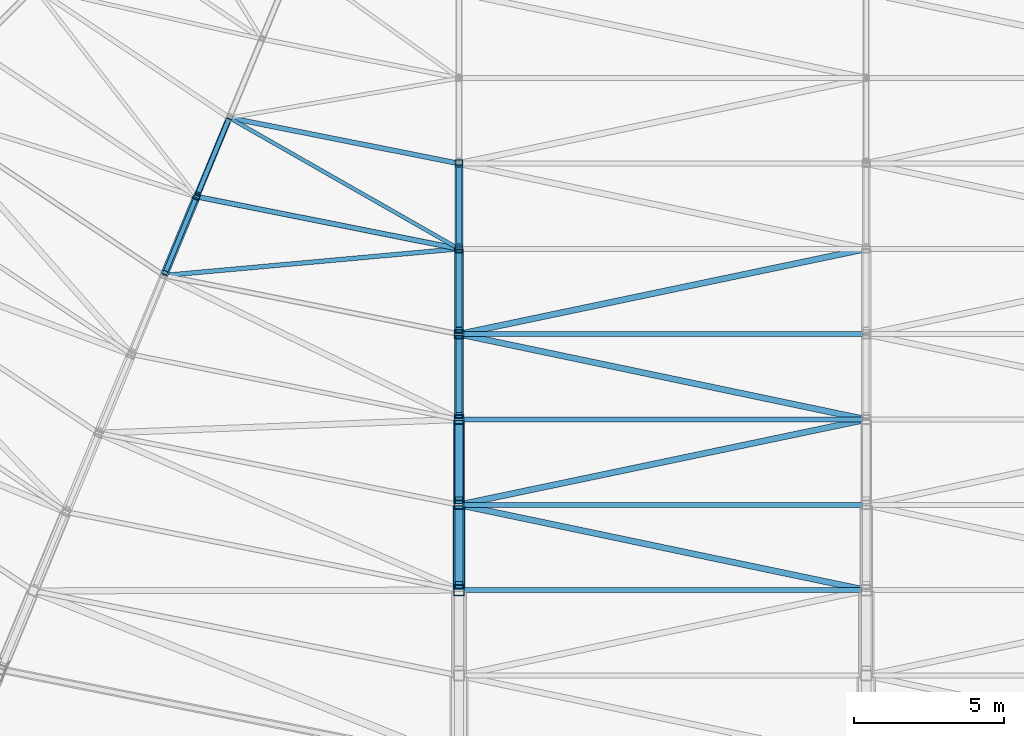
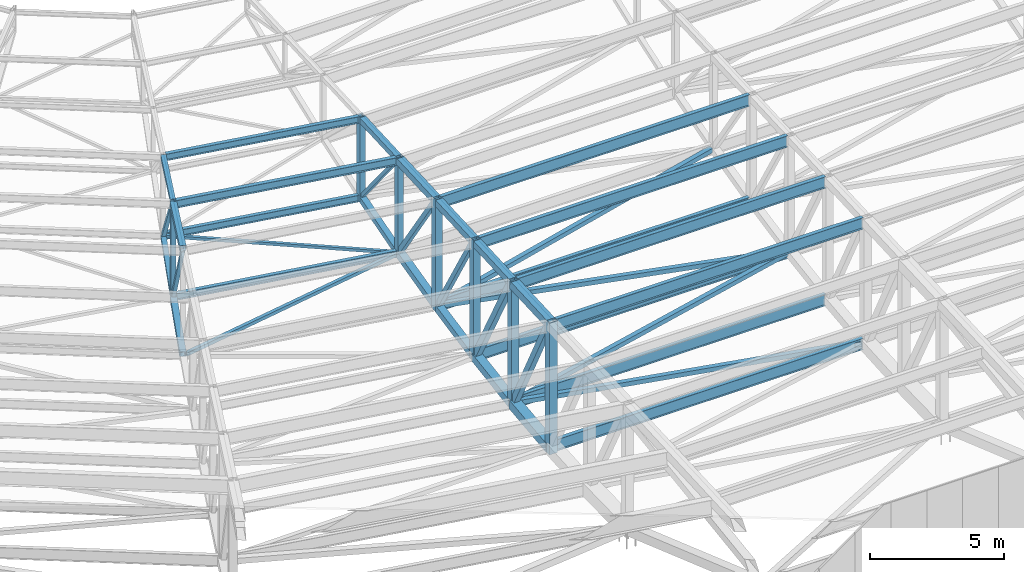
# One storey, part 7 of 278: 25 members, 21 beams.
"""IFC4 building model written with IfcOpenShell, lengths in metres."""

from ifc_helpers import new_model, si_unit, direction, frame, origin, origin_2d, place, context, subcontext, project, spatial, hollow_rectangle, i_section, extrude, material, material_profile, profile_set, type_object, element, save


model = new_model("IFC4")

# Units and contexts
model_context = context("Model", 3, precision=1e-05, world=origin(), true_north=direction((0.0, 1.0)))
body_context = subcontext(model_context, "Body", "Model", "MODEL_VIEW")
ifc_project = project(units=[si_unit("LENGTHUNIT", "METRE"), si_unit("AREAUNIT", "SQUARE_METRE"), si_unit("VOLUMEUNIT", "CUBIC_METRE"), si_unit("PLANEANGLEUNIT", "RADIAN"), si_unit("MASSUNIT", "GRAM", prefix="KILO")], contexts=[model_context])

# Site, building, storey
site_placement = place(None, origin())
site = spatial("IfcSite", under=ifc_project, at=site_placement, CompositionType="ELEMENT")
building_placement = place(site_placement, origin())
building = spatial("IfcBuilding", under=site, at=building_placement, Name="Ogive Plaza Stadium", CompositionType="ELEMENT")
storey_placement = place(building_placement, frame((0.0, 0.0, 29.0)))
storey = spatial("IfcBuildingStorey", under=building, at=storey_placement, Name="Roof", CompositionType="ELEMENT", Elevation=29.0)

# Members
ifc_material_1 = material(Name="Steel ASTM A500 Grade C", Category="steel")
ifc_material_profile_1 = material_profile(ifc_material_1, hollow_rectangle(XDim=0.126953125, YDim=0.126953125, WallThickness=0.005859375, at=origin_2d()), Name="HSS5X5X1/4")
ifc_profile_set_1 = profile_set([ifc_material_profile_1], Name="Steel ASTM A500 Grade C")
member_type_1 = type_object("IfcMemberType", Name="Roof plan brace HSS5X5X1/4", PredefinedType="BRACE", material=ifc_profile_set_1)
member_1_placement = place(storey_placement, frame((-41.60302734375, -71.063720703125, 3.242431640625), z_axis=(0.86502645405, -0.493347767192, -0.091308347927), x_axis=(0.495417289815, 0.868655115078, 0.0)))
element("IfcMember", 1, at=member_1_placement, inside=storey, type_object=member_type_1, Name="ROOF BRACE B17 4", PredefinedType="BRACE", context=body_context, shape_type="SweptSolid", body=[
    extrude(hollow_rectangle(XDim=0.126953125, YDim=0.126953125, WallThickness=0.005859375, at=origin_2d()), origin(), (0.0, 0.0, 1.0), 8.636474609375),
])
ifc_material_2 = material(Name="Steel ASTM A500 Grade C", Category="steel")
ifc_material_profile_2 = material_profile(ifc_material_2, hollow_rectangle(XDim=0.15234375, YDim=0.15234375, WallThickness=0.005859375, at=origin_2d()), Name="HSS6X6X1/4")
ifc_profile_set_2 = profile_set([ifc_material_profile_2], Name="Steel ASTM A500 Grade C")
member_type_2 = type_object("IfcMemberType", Name="Roof plan brace HSS6X6X1/4", PredefinedType="BRACE", material=ifc_profile_set_2)
member_2_placement = place(storey_placement, frame((-34.10400390625, -75.409423828125, 2.4326171875), z_axis=(-0.993414799326, -0.089721773876, -0.071253349206), x_axis=(0.089950405331, -0.995946245829, 0.0)))
element("IfcMember", 2, at=member_2_placement, inside=storey, type_object=member_type_2, Name="ROOF BRACE B17 5", PredefinedType="BRACE", context=body_context, shape_type="SweptSolid", body=[
    extrude(hollow_rectangle(XDim=0.15234375, YDim=0.15234375, WallThickness=0.005859375, at=origin_2d()), origin(), (0.0, 0.0, 1.0), 9.689697265625),
])
ifc_material_3 = material(Name="Steel ASTM A500 Grade C", Category="steel")
ifc_material_profile_3 = material_profile(ifc_material_3, hollow_rectangle(XDim=0.203125, YDim=0.203125, WallThickness=0.0087890625, at=origin_2d()), Name="HSS8X8X3/8")
ifc_profile_set_3 = profile_set([ifc_material_profile_3], Name="Steel ASTM A500 Grade C")
member_type_3 = type_object("IfcMemberType", Name="Roof plan brace HSS8X8X3/8", PredefinedType="BRACE", material=ifc_profile_set_3)
member_3_placement = place(storey_placement, frame((-20.5185546875, -75.4248046875, 2.459228515625), z_axis=(-0.977474612888, -0.204849020574, -0.05079625901), x_axis=(0.205113814972, -0.97873812785, 0.0)))
element("IfcMember", 3, at=member_3_placement, inside=storey, type_object=member_type_3, Name="ROOF BRACE B16 5", PredefinedType="BRACE", context=body_context, shape_type="SweptSolid", body=[
    extrude(hollow_rectangle(XDim=0.203125, YDim=0.203125, WallThickness=0.0087890625, at=origin_2d()), origin(), (0.0, 0.0, 1.0), 13.64501953125),
])
member_4_placement = place(storey_placement, frame((-33.856201171875, -78.280029296875, 1.752685546875), z_axis=(0.977965523229, -0.204948228106, -0.039744926357), x_axis=(0.205110294312, 0.978738865667, 0.0)))
element("IfcMember", 4, at=member_4_placement, inside=storey, type_object=member_type_3, Name="ROOF BRACE B16 6", PredefinedType="BRACE", context=body_context, shape_type="SweptSolid", body=[
    extrude(hollow_rectangle(XDim=0.203125, YDim=0.203125, WallThickness=0.0087890625, at=origin_2d()), origin(), (0.0, 0.0, 1.0), 13.6123046875),
])
member_5_placement = place(storey_placement, frame((-20.5439453125, -81.130126953125, 1.201416015625), z_axis=(-0.978282447902, -0.205014644711, -0.030536004664), x_axis=(0.205110294312, -0.978738865667, 0.0)))
element("IfcMember", 5, at=member_5_placement, inside=storey, type_object=member_type_3, Name="ROOF BRACE B16 7", PredefinedType="BRACE", context=body_context, shape_type="SweptSolid", body=[
    extrude(hollow_rectangle(XDim=0.203125, YDim=0.203125, WallThickness=0.0087890625, at=origin_2d()), origin(), (0.0, 0.0, 1.0), 13.607666015625),
])
member_6_placement = place(storey_placement, frame((-33.856201171875, -83.980224609375, 0.778564453125), z_axis=(0.978554365022, -0.205067940633, -0.019454933079), x_axis=(0.205106760189, 0.978739606292, 0.0)))
element("IfcMember", 6, at=member_6_placement, inside=storey, type_object=member_type_3, Name="ROOF BRACE B16 8", PredefinedType="BRACE", context=body_context, shape_type="SweptSolid", body=[
    extrude(hollow_rectangle(XDim=0.203125, YDim=0.203125, WallThickness=0.0087890625, at=origin_2d()), origin(), (0.0, 0.0, 1.0), 13.578125),
])
ifc_material_4 = material(Name="Steel ASTM A992 Grade 50", Category="steel")
ifc_material_profile_4 = material_profile(ifc_material_4, i_section(OverallWidth=0.164794921875, OverallDepth=0.310302734375, WebThickness=0.005859375, FlangeThickness=0.009765625, at=origin_2d()), Name="W12X26")
ifc_profile_set_4 = profile_set([ifc_material_profile_4], Name="Steel ASTM A992 Grade 50")
member_type_4 = type_object("IfcMemberType", Name="Roof plan strut W12X26", PredefinedType="STRUT", material=ifc_profile_set_4)
member_7_placement = place(storey_placement, frame((-34.088134765625, -72.532470703125, 3.249755859375), z_axis=(-0.9807828615, 0.195102482268, 0.0), x_axis=(-0.195102482268, -0.9807828615, 0.0)))
element("IfcMember", 7, at=member_7_placement, inside=storey, type_object=member_type_4, Name="ROOF STRUT B17 3", PredefinedType="STRUT", context=body_context, shape_type="SweptSolid", body=[
    extrude(i_section(OverallWidth=0.164794921875, OverallDepth=0.310302734375, WebThickness=0.005859375, FlangeThickness=0.009765625, at=origin_2d()), origin(), (0.0, 0.0, 1.0), 7.643310546875),
])
member_8_placement = place(storey_placement, frame((-34.11376953125, -75.37744140625, 2.43994140625), z_axis=(-0.980782384623, 0.195104879523, 0.0), x_axis=(-0.195104879523, -0.980782384623, 0.0)))
element("IfcMember", 8, at=member_8_placement, inside=storey, type_object=member_type_4, Name="ROOF STRUT B17 4", PredefinedType="STRUT", context=body_context, shape_type="SweptSolid", body=[
    extrude(i_section(OverallWidth=0.164794921875, OverallDepth=0.310302734375, WebThickness=0.005859375, FlangeThickness=0.009765625, at=origin_2d()), origin(), (0.0, 0.0, 1.0), 8.729248046875),
])
ifc_material_5 = material(Name="Steel ASTM A992 Grade 50", Category="steel")
ifc_material_profile_5 = material_profile(ifc_material_5, i_section(OverallWidth=0.1650390625, OverallDepth=0.524658203125, WebThickness=0.0087890625, FlangeThickness=0.011474609375, at=origin_2d()), Name="W21X44")
ifc_profile_set_5 = profile_set([ifc_material_profile_5], Name="Steel ASTM A992 Grade 50")
member_type_5 = type_object("IfcMemberType", Name="Roof plan strut W21X44", PredefinedType="STRUT", material=ifc_profile_set_5)
for number, where, z_axis, x_axis, name in (
    (9, (-20.5224609375, -78.25, 1.758544921875), (-1.0, 0.0, 0.0), (0.0, -1.0, 0.0), "ROOF STRUT B16 5"),
    (10, (-20.5224609375, -81.10009765625, 1.205810546875), (-1.0, 0.0, 0.0), (0.0, -1.0, 0.0), "ROOF STRUT B16 6"),
    (11, (-20.5224609375, -83.949951171875, 0.781494140625), (-1.0, 0.0, 0.0), (0.0, -1.0, 0.0), "ROOF STRUT B16 7"),
):
    element("IfcMember", number, at=place(storey_placement, frame(where, z_axis=z_axis, x_axis=x_axis)), inside=storey, type_object=member_type_5, Name=name, PredefinedType="STRUT", context=body_context, shape_type="SweptSolid", body=[
        extrude(i_section(OverallWidth=0.1650390625, OverallDepth=0.524658203125, WebThickness=0.0087890625, FlangeThickness=0.011474609375, at=origin_2d()), origin(), (0.0, 0.0, 1.0), 13.355224609375),
    ])
member_9_placement = place(storey_placement, frame((-20.5478515625, -86.800048828125, 0.510986328125), z_axis=(-1.0, 0.0, 0.0), x_axis=(0.0, -1.0, 0.0)))
element("IfcMember", 12, at=member_9_placement, inside=storey, type_object=member_type_5, Name="ROOF STRUT B16 8", PredefinedType="STRUT", context=body_context, shape_type="SweptSolid", body=[
    extrude(i_section(OverallWidth=0.1650390625, OverallDepth=0.524658203125, WebThickness=0.0087890625, FlangeThickness=0.011474609375, at=origin_2d()), origin(), (0.0, 0.0, 1.0), 13.304443359375),
])
ifc_material_6 = material(Name="Steel ASTM A992 Grade 50", Category="steel")
ifc_material_profile_6 = material_profile(ifc_material_6, i_section(OverallWidth=0.164794921875, OverallDepth=0.310302734375, WebThickness=0.005859375, FlangeThickness=0.009765625, at=origin_2d()), Name="W12X26")
ifc_profile_set_6 = profile_set([ifc_material_profile_6], Name="Steel ASTM A992 Grade 50")
member_type_6 = type_object("IfcMemberType", Name="Roof purlin W12X26", PredefinedType="PURLIN", material=ifc_profile_set_6)
member_10_placement = place(storey_placement, frame((-34.088134765625, -72.532470703125, 6.84228515625), z_axis=(-0.9807828615, 0.195102482268, 0.0), x_axis=(-0.195102482268, -0.9807828615, 0.0)))
element("IfcMember", 13, at=member_10_placement, inside=storey, type_object=member_type_6, Name="ROOF PURLIN B17 3", PredefinedType="PURLIN", context=body_context, shape_type="SweptSolid", body=[
    extrude(i_section(OverallWidth=0.164794921875, OverallDepth=0.310302734375, WebThickness=0.005859375, FlangeThickness=0.009765625, at=origin_2d()), origin(), (0.0, 0.0, 1.0), 7.643310546875),
])
ifc_material_7 = material(Name="Steel ASTM A992 Grade 50", Category="steel")
ifc_material_profile_7 = material_profile(ifc_material_7, i_section(OverallWidth=0.17138671875, OverallDepth=0.35498046875, WebThickness=0.00732421875, FlangeThickness=0.011474609375, at=origin_2d()), Name="W14X34")
ifc_profile_set_7 = profile_set([ifc_material_profile_7], Name="Steel ASTM A992 Grade 50")
member_type_7 = type_object("IfcMemberType", Name="Roof purlin W14X34", PredefinedType="PURLIN", material=ifc_profile_set_7)
member_11_placement = place(storey_placement, frame((-34.1142578125, -75.377197265625, 6.677490234375), z_axis=(-0.980787765569, 0.195077827826, 0.0), x_axis=(-0.195077827826, -0.980787765569, 0.0)))
element("IfcMember", 14, at=member_11_placement, inside=storey, type_object=member_type_7, Name="ROOF PURLIN B17 4", PredefinedType="PURLIN", context=body_context, shape_type="SweptSolid", body=[
    extrude(i_section(OverallWidth=0.17138671875, OverallDepth=0.35498046875, WebThickness=0.00732421875, FlangeThickness=0.011474609375, at=origin_2d()), origin(), (0.0, 0.0, 1.0), 8.72802734375),
])
ifc_material_8 = material(Name="Steel ASTM A992 Grade 50", Category="steel")
ifc_material_profile_8 = material_profile(ifc_material_8, i_section(OverallWidth=0.1650390625, OverallDepth=0.524658203125, WebThickness=0.0087890625, FlangeThickness=0.011474609375, at=origin_2d()), Name="W21X44")
ifc_profile_set_8 = profile_set([ifc_material_profile_8], Name="Steel ASTM A992 Grade 50")
member_type_8 = type_object("IfcMemberType", Name="Roof purlin W21X44", PredefinedType="PURLIN", material=ifc_profile_set_8)
for number, where, z_axis, x_axis, name in (
    (15, (-20.5224609375, -78.25, 6.4501953125), (-1.0, 0.0, 0.0), (0.0, -1.0, 0.0), "ROOF PURLIN B16 5"),
    (16, (-20.5224609375, -81.10009765625, 6.3076171875), (-1.0, 0.0, 0.0), (0.0, -1.0, 0.0), "ROOF PURLIN B16 6"),
    (17, (-20.5224609375, -83.949951171875, 6.1650390625), (-1.0, 0.0, 0.0), (0.0, -1.0, 0.0), "ROOF PURLIN B16 7"),
):
    element("IfcMember", number, at=place(storey_placement, frame(where, z_axis=z_axis, x_axis=x_axis)), inside=storey, type_object=member_type_8, Name=name, PredefinedType="PURLIN", context=body_context, shape_type="SweptSolid", body=[
        extrude(i_section(OverallWidth=0.1650390625, OverallDepth=0.524658203125, WebThickness=0.0087890625, FlangeThickness=0.011474609375, at=origin_2d()), origin(), (0.0, 0.0, 1.0), 13.355224609375),
    ])
member_12_placement = place(storey_placement, frame((-20.5478515625, -86.800048828125, 6.022705078125), z_axis=(-1.0, 0.0, 0.0), x_axis=(0.0, -1.0, 0.0)))
element("IfcMember", 18, at=member_12_placement, inside=storey, type_object=member_type_8, Name="ROOF PURLIN B16 8", PredefinedType="PURLIN", context=body_context, shape_type="SweptSolid", body=[
    extrude(i_section(OverallWidth=0.1650390625, OverallDepth=0.524658203125, WebThickness=0.0087890625, FlangeThickness=0.011474609375, at=origin_2d()), origin(), (0.0, 0.0, 1.0), 13.304443359375),
])

# Beams
ifc_material_9 = material(Name="Steel ASTM A500 Grade C", Category="steel")
ifc_material_profile_9 = material_profile(ifc_material_9, hollow_rectangle(XDim=0.25390625, YDim=0.25390625, WallThickness=0.01171875, at=origin_2d()), Name="HSS10X10X1/2")
ifc_profile_set_9 = profile_set([ifc_material_profile_9], Name="Steel ASTM A500 Grade C")
beam_type_1 = type_object("IfcBeamType", Name="Roof truss bottom chord HSS10X10X1/2", PredefinedType="BEAM", material=ifc_profile_set_9)
beam_1_placement = place(storey_placement, frame((-34.0, -72.60009765625, 3.265869140625), z_axis=(0.0, -0.959640437259, -0.281229854705), x_axis=(1.0, 0.0, 0.0)))
element("IfcBeam", 19, at=beam_1_placement, inside=storey, type_object=beam_type_1, Name="ROOF TRUSS T17 BOTTOM CHORD 4", PredefinedType="BEAM", context=body_context, shape_type="SweptSolid", body=[
    extrude(hollow_rectangle(XDim=0.25390625, YDim=0.25390625, WallThickness=0.01171875, at=origin_2d()), origin(), (0.0, 0.0, 1.0), 2.86572265625),
])
beam_2_placement = place(storey_placement, frame((-42.779541015625, -73.695556640625, 2.433349609375), z_axis=(-0.371439859665, -0.89673257633, -0.240630665544), x_axis=(0.923879144677, -0.382684368678, 0.0)))
element("IfcBeam", 20, at=beam_2_placement, inside=storey, type_object=beam_type_1, Name="ROOF TRUSS T18 BOTTOM CHORD 5", PredefinedType="BEAM", context=body_context, shape_type="SweptSolid", body=[
    extrude(hollow_rectangle(XDim=0.25390625, YDim=0.25390625, WallThickness=0.01171875, at=origin_2d()), origin(), (0.0, 0.0, 1.0), 2.849853515625),
])
ifc_material_10 = material(Name="Steel ASTM A500 Grade C", Category="steel")
ifc_material_profile_10 = material_profile(ifc_material_10, hollow_rectangle(XDim=0.3046875, YDim=0.3046875, WallThickness=0.0146484375, at=origin_2d()), Name="HSS12X12X5/8")
ifc_profile_set_10 = profile_set([ifc_material_profile_10], Name="Steel ASTM A500 Grade C")
beam_type_2 = type_object("IfcBeamType", Name="Roof truss bottom chord HSS12X12X5/8", PredefinedType="BEAM", material=ifc_profile_set_10)
beam_3_placement = place(storey_placement, frame((-34.0, -75.449951171875, 2.45751953125), z_axis=(0.0, -0.970607032995, -0.240669872439), x_axis=(1.0, 0.0, 0.0)))
element("IfcBeam", 21, at=beam_3_placement, inside=storey, type_object=beam_type_2, Name="ROOF TRUSS T17 BOTTOM CHORD 5", PredefinedType="BEAM", context=body_context, shape_type="SweptSolid", body=[
    extrude(hollow_rectangle(XDim=0.3046875, YDim=0.3046875, WallThickness=0.0146484375, at=origin_2d()), origin(), (0.0, 0.0, 1.0), 2.833251953125),
])
beam_4_placement = place(storey_placement, frame((-34.0, -78.300048828125, 1.751708984375), z_axis=(0.0, -0.980021250437, -0.19889280704), x_axis=(1.0, 0.0, 0.0)))
element("IfcBeam", 22, at=beam_4_placement, inside=storey, type_object=beam_type_2, Name="ROOF TRUSS T17 BOTTOM CHORD 6", PredefinedType="BEAM", context=body_context, shape_type="SweptSolid", body=[
    extrude(hollow_rectangle(XDim=0.3046875, YDim=0.3046875, WallThickness=0.0146484375, at=origin_2d()), origin(), (0.0, 0.0, 1.0), 2.80615234375),
])
ifc_material_11 = material(Name="Steel ASTM A500 Grade C", Category="steel")
ifc_material_profile_11 = material_profile(ifc_material_11, hollow_rectangle(XDim=0.355712890625, YDim=0.355712890625, WallThickness=0.0146484375, at=origin_2d()), Name="HSS14X14X5/8")
ifc_profile_set_11 = profile_set([ifc_material_profile_11], Name="Steel ASTM A500 Grade C")
beam_type_3 = type_object("IfcBeamType", Name="Roof truss bottom chord HSS14X14X5/8", PredefinedType="BEAM", material=ifc_profile_set_11)
beam_5_placement = place(storey_placement, frame((-34.0, -81.14990234375, 1.2001953125), z_axis=(0.0, -0.987770074518, -0.155917541947), x_axis=(1.0, 0.0, 0.0)))
element("IfcBeam", 23, at=beam_5_placement, inside=storey, type_object=beam_type_3, Name="ROOF TRUSS T17 BOTTOM CHORD 7", PredefinedType="BEAM", context=body_context, shape_type="SweptSolid", body=[
    extrude(hollow_rectangle(XDim=0.355712890625, YDim=0.355712890625, WallThickness=0.0146484375, at=origin_2d()), origin(), (0.0, 0.0, 1.0), 2.783935546875),
])
ifc_material_12 = material(Name="Steel ASTM A500 Grade C", Category="steel")
ifc_material_profile_12 = material_profile(ifc_material_12, hollow_rectangle(XDim=0.406494140625, YDim=0.406494140625, WallThickness=0.0146484375, at=origin_2d()), Name="HSS16X16X5/8")
ifc_profile_set_12 = profile_set([ifc_material_profile_12], Name="Steel ASTM A500 Grade C")
beam_type_4 = type_object("IfcBeamType", Name="Roof truss bottom chord HSS16X16X5/8", PredefinedType="BEAM", material=ifc_profile_set_12)
beam_6_placement = place(storey_placement, frame((-34.0, -84.0, 0.777099609375), z_axis=(0.0, -0.993703844406, -0.112038696946), x_axis=(1.0, 0.0, 0.0)))
element("IfcBeam", 24, at=beam_6_placement, inside=storey, type_object=beam_type_4, Name="ROOF TRUSS T17 BOTTOM CHORD 8", PredefinedType="BEAM", context=body_context, shape_type="SweptSolid", body=[
    extrude(hollow_rectangle(XDim=0.406494140625, YDim=0.406494140625, WallThickness=0.0146484375, at=origin_2d()), origin(), (0.0, 0.0, 1.0), 2.767333984375),
])
ifc_material_13 = material(Name="Steel ASTM A500 Grade C", Category="steel")
ifc_material_profile_13 = material_profile(ifc_material_13, hollow_rectangle(XDim=0.203125, YDim=0.203125, WallThickness=0.01171875, at=origin_2d()), Name="HSS8X8X1/2")
ifc_profile_set_13 = profile_set([ifc_material_profile_13], Name="Steel ASTM A500 Grade C")
beam_type_5 = type_object("IfcBeamType", Name="Roof truss bottom chord HSS8X8X1/2", PredefinedType="BEAM", material=ifc_profile_set_13)
beam_7_placement = place(storey_placement, frame((-41.689697265625, -71.064697265625, 3.2412109375), z_axis=(-0.36727087962, -0.886574426433, -0.281243466376), x_axis=(0.923864895024, -0.382718768474, 0.0)))
element("IfcBeam", 25, at=beam_7_placement, inside=storey, type_object=beam_type_5, Name="ROOF TRUSS T18 BOTTOM CHORD 4", PredefinedType="BEAM", context=body_context, shape_type="SweptSolid", body=[
    extrude(hollow_rectangle(XDim=0.203125, YDim=0.203125, WallThickness=0.01171875, at=origin_2d()), origin(), (0.0, 0.0, 1.0), 2.877685546875),
])

# Members
ifc_material_14 = material(Name="Steel ASTM A500 Grade C", Category="steel")
ifc_material_profile_14 = material_profile(ifc_material_14, hollow_rectangle(XDim=0.25390625, YDim=0.25390625, WallThickness=0.0087890625, at=origin_2d()), Name="HSS10X10X3/8")
ifc_profile_set_14 = profile_set([ifc_material_profile_14], Name="Steel ASTM A500 Grade C")
member_type_9 = type_object("IfcMemberType", Name="Roof truss diagonal HSS10X10X3/8", PredefinedType="BRACE", material=ifc_profile_set_14)
member_13_placement = place(storey_placement, frame((-34.0, -81.25244140625, 1.383544921875), z_axis=(0.0, -0.473127942579, 0.880993728667), x_axis=(1.0, 0.0, 0.0)))
element("IfcMember", 26, at=member_13_placement, inside=storey, type_object=member_type_9, Name="ROOF TRUSS T17 DIAGONAL 7", PredefinedType="BRACE", context=body_context, shape_type="SweptSolid", body=[
    extrude(hollow_rectangle(XDim=0.25390625, YDim=0.25390625, WallThickness=0.0087890625, at=origin_2d()), origin(), (0.0, 0.0, 1.0), 5.37939453125),
])
member_14_placement = place(storey_placement, frame((-34.0, -84.102294921875, 0.984619140625), z_axis=(0.0, -0.454062843231, 0.890969659639), x_axis=(1.0, 0.0, 0.0)))
element("IfcMember", 27, at=member_14_placement, inside=storey, type_object=member_type_9, Name="ROOF TRUSS T17 DIAGONAL 8", PredefinedType="BRACE", context=body_context, shape_type="SweptSolid", body=[
    extrude(hollow_rectangle(XDim=0.25390625, YDim=0.25390625, WallThickness=0.0087890625, at=origin_2d()), origin(), (0.0, 0.0, 1.0), 5.550048828125),
])
ifc_material_15 = material(Name="Steel ASTM A500 Grade C", Category="steel")
ifc_material_profile_15 = material_profile(ifc_material_15, hollow_rectangle(XDim=0.15234375, YDim=0.15234375, WallThickness=0.005859375, at=origin_2d()), Name="HSS6X6X1/4")
ifc_profile_set_15 = profile_set([ifc_material_profile_15], Name="Steel ASTM A500 Grade C")
member_type_10 = type_object("IfcMemberType", Name="Roof truss diagonal HSS6X6X1/4", PredefinedType="BRACE", material=ifc_profile_set_15)
member_15_placement = place(storey_placement, frame((-41.711669921875, -71.11767578125, 3.3515625), z_axis=(-0.239434593828, -0.578013230123, 0.780110108306), x_axis=(0.923871804697, -0.382702088427, 0.0)))
element("IfcMember", 28, at=member_15_placement, inside=storey, type_object=member_type_10, Name="ROOF TRUSS T18 DIAGONAL 4", PredefinedType="BRACE", context=body_context, shape_type="SweptSolid", body=[
    extrude(hollow_rectangle(XDim=0.15234375, YDim=0.15234375, WallThickness=0.005859375, at=origin_2d()), origin(), (0.0, 0.0, 1.0), 4.23046875),
])
member_16_placement = place(storey_placement, frame((-42.80224609375, -73.750732421875, 2.56689453125), z_axis=(-0.215226146856, -0.519572207016, 0.826875097827), x_axis=(0.923871804697, -0.382702088427, 0.0)))
element("IfcMember", 29, at=member_16_placement, inside=storey, type_object=member_type_10, Name="ROOF TRUSS T18 DIAGONAL 5", PredefinedType="BRACE", context=body_context, shape_type="SweptSolid", body=[
    extrude(hollow_rectangle(XDim=0.15234375, YDim=0.15234375, WallThickness=0.005859375, at=origin_2d()), origin(), (0.0, 0.0, 1.0), 4.706298828125),
])
ifc_material_16 = material(Name="Steel ASTM A500 Grade C", Category="steel")
ifc_material_profile_16 = material_profile(ifc_material_16, hollow_rectangle(XDim=0.15234375, YDim=0.15234375, WallThickness=0.0087890625, at=origin_2d()), Name="HSS6X6X3/8")
ifc_profile_set_16 = profile_set([ifc_material_profile_16], Name="Steel ASTM A500 Grade C")
member_type_11 = type_object("IfcMemberType", Name="Roof truss diagonal HSS6X6X3/8", PredefinedType="BRACE", material=ifc_profile_set_16)
member_17_placement = place(storey_placement, frame((-34.0, -72.677001953125, 3.40234375), z_axis=(0.0, -0.630150764463, 0.77647280316), x_axis=(1.0, 0.0, 0.0)))
element("IfcMember", 30, at=member_17_placement, inside=storey, type_object=member_type_11, Name="ROOF TRUSS T17 DIAGONAL 4", PredefinedType="BRACE", context=body_context, shape_type="SweptSolid", body=[
    extrude(hollow_rectangle(XDim=0.15234375, YDim=0.15234375, WallThickness=0.0087890625, at=origin_2d()), origin(), (0.0, 0.0, 1.0), 4.11962890625),
])
ifc_material_17 = material(Name="Steel ASTM A500 Grade C", Category="steel")
ifc_material_profile_17 = material_profile(ifc_material_17, hollow_rectangle(XDim=0.203125, YDim=0.203125, WallThickness=0.0087890625, at=origin_2d()), Name="HSS8X8X3/8")
ifc_profile_set_17 = profile_set([ifc_material_profile_17], Name="Steel ASTM A500 Grade C")
member_type_12 = type_object("IfcMemberType", Name="Roof truss diagonal HSS8X8X3/8", PredefinedType="BRACE", material=ifc_profile_set_17)
member_18_placement = place(storey_placement, frame((-34.0, -75.527099609375, 2.617919921875), z_axis=(0.0, -0.561338440243, 0.827586343233), x_axis=(1.0, 0.0, 0.0)))
element("IfcMember", 31, at=member_18_placement, inside=storey, type_object=member_type_12, Name="ROOF TRUSS T17 DIAGONAL 5", PredefinedType="BRACE", context=body_context, shape_type="SweptSolid", body=[
    extrude(hollow_rectangle(XDim=0.203125, YDim=0.203125, WallThickness=0.0087890625, at=origin_2d()), origin(), (0.0, 0.0, 1.0), 4.579345703125),
])
member_19_placement = place(storey_placement, frame((-34.0, -78.40234375, 1.9111328125), z_axis=(0.0, -0.504659398762, 0.863318534054), x_axis=(1.0, 0.0, 0.0)))
element("IfcMember", 32, at=member_19_placement, inside=storey, type_object=member_type_12, Name="ROOF TRUSS T17 DIAGONAL 6", PredefinedType="BRACE", context=body_context, shape_type="SweptSolid", body=[
    extrude(hollow_rectangle(XDim=0.203125, YDim=0.203125, WallThickness=0.0087890625, at=origin_2d()), origin(), (0.0, 0.0, 1.0), 5.043212890625),
])

# Beams
ifc_material_18 = material(Name="Steel ASTM A500 Grade C", Category="steel")
ifc_material_profile_18 = material_profile(ifc_material_18, hollow_rectangle(XDim=0.25390625, YDim=0.25390625, WallThickness=0.01171875, at=origin_2d()), Name="HSS10X10X1/2")
ifc_profile_set_18 = profile_set([ifc_material_profile_18], Name="Steel ASTM A500 Grade C")
beam_type_6 = type_object("IfcBeamType", Name="Roof truss post HSS10X10X1/2", PredefinedType="BEAM", material=ifc_profile_set_18)
beam_8_placement = place(storey_placement, frame((-34.0, -72.550048828125, 3.148193359375), z_axis=(0.0, 0.0, 1.0), x_axis=(1.0, 0.0, 0.0)))
element("IfcBeam", 33, at=beam_8_placement, inside=storey, type_object=beam_type_6, Name="ROOF TRUSS T17 POST 4", PredefinedType="BEAM", context=body_context, shape_type="SweptSolid", body=[
    extrude(hollow_rectangle(XDim=0.25390625, YDim=0.25390625, WallThickness=0.01171875, at=origin_2d()), origin(), (0.0, 0.0, 1.0), 3.849365234375),
])
beam_9_placement = place(storey_placement, frame((-34.0, -75.39990234375, 2.31298828125), z_axis=(0.0, 0.0, 1.0), x_axis=(1.0, 0.0, 0.0)))
element("IfcBeam", 34, at=beam_9_placement, inside=storey, type_object=beam_type_6, Name="ROOF TRUSS T17 POST 5", PredefinedType="BEAM", context=body_context, shape_type="SweptSolid", body=[
    extrude(hollow_rectangle(XDim=0.25390625, YDim=0.25390625, WallThickness=0.01171875, at=origin_2d()), origin(), (0.0, 0.0, 1.0), 4.5419921875),
])
ifc_material_19 = material(Name="Steel ASTM A500 Grade C", Category="steel")
ifc_material_profile_19 = material_profile(ifc_material_19, hollow_rectangle(XDim=0.3046875, YDim=0.3046875, WallThickness=0.01171875, at=origin_2d()), Name="HSS12X12X1/2")
ifc_profile_set_19 = profile_set([ifc_material_profile_19], Name="Steel ASTM A500 Grade C")
beam_type_7 = type_object("IfcBeamType", Name="Roof truss post HSS12X12X1/2", PredefinedType="BEAM", material=ifc_profile_set_19)
beam_10_placement = place(storey_placement, frame((-34.0, -78.25, 1.606201171875), z_axis=(0.0, 0.0, 1.0), x_axis=(1.0, 0.0, 0.0)))
element("IfcBeam", 35, at=beam_10_placement, inside=storey, type_object=beam_type_7, Name="ROOF TRUSS T17 POST 6", PredefinedType="BEAM", context=body_context, shape_type="SweptSolid", body=[
    extrude(hollow_rectangle(XDim=0.3046875, YDim=0.3046875, WallThickness=0.01171875, at=origin_2d()), origin(), (0.0, 0.0, 1.0), 5.106201171875),
])
ifc_material_20 = material(Name="Steel ASTM A500 Grade C", Category="steel")
ifc_material_profile_20 = material_profile(ifc_material_20, hollow_rectangle(XDim=0.3046875, YDim=0.3046875, WallThickness=0.0146484375, at=origin_2d()), Name="HSS12X12X5/8")
ifc_profile_set_20 = profile_set([ifc_material_profile_20], Name="Steel ASTM A500 Grade C")
beam_type_8 = type_object("IfcBeamType", Name="Roof truss post HSS12X12X5/8", PredefinedType="BEAM", material=ifc_profile_set_20)
beam_11_placement = place(storey_placement, frame((-34.0, -81.10009765625, 1.028076171875), z_axis=(0.0, 0.0, 1.0), x_axis=(1.0, 0.0, 0.0)))
element("IfcBeam", 36, at=beam_11_placement, inside=storey, type_object=beam_type_8, Name="ROOF TRUSS T17 POST 7", PredefinedType="BEAM", context=body_context, shape_type="SweptSolid", body=[
    extrude(hollow_rectangle(XDim=0.3046875, YDim=0.3046875, WallThickness=0.0146484375, at=origin_2d()), origin(), (0.0, 0.0, 1.0), 5.5419921875),
])
beam_12_placement = place(storey_placement, frame((-34.0, -83.949951171875, 0.578369140625), z_axis=(0.0, 0.0, 1.0), x_axis=(1.0, 0.0, 0.0)))
element("IfcBeam", 37, at=beam_12_placement, inside=storey, type_object=beam_type_8, Name="ROOF TRUSS T17 POST 8", PredefinedType="BEAM", context=body_context, shape_type="SweptSolid", body=[
    extrude(hollow_rectangle(XDim=0.3046875, YDim=0.3046875, WallThickness=0.0146484375, at=origin_2d()), origin(), (0.0, 0.0, 1.0), 5.84912109375),
])
ifc_material_21 = material(Name="Steel ASTM A500 Grade C", Category="steel")
ifc_material_profile_21 = material_profile(ifc_material_21, hollow_rectangle(XDim=0.355712890625, YDim=0.355712890625, WallThickness=0.0146484375, at=origin_2d()), Name="HSS14X14X5/8")
ifc_profile_set_21 = profile_set([ifc_material_profile_21], Name="Steel ASTM A500 Grade C")
beam_type_9 = type_object("IfcBeamType", Name="Roof truss post HSS14X14X5/8", PredefinedType="BEAM", material=ifc_profile_set_21)
beam_13_placement = place(storey_placement, frame((-34.0, -86.800048828125, 0.257080078125), z_axis=(0.0, 0.0, 1.0), x_axis=(1.0, 0.0, 0.0)))
element("IfcBeam", 38, at=beam_13_placement, inside=storey, type_object=beam_type_9, Name="ROOF TRUSS T17 POST 9", PredefinedType="BEAM", context=body_context, shape_type="SweptSolid", body=[
    extrude(hollow_rectangle(XDim=0.355712890625, YDim=0.355712890625, WallThickness=0.0146484375, at=origin_2d()), origin(), (0.0, 0.0, 1.0), 6.02783203125),
])
ifc_material_22 = material(Name="Steel ASTM A500 Grade C", Category="steel")
ifc_material_profile_22 = material_profile(ifc_material_22, hollow_rectangle(XDim=0.203125, YDim=0.203125, WallThickness=0.0087890625, at=origin_2d()), Name="HSS8X8X3/8")
ifc_profile_set_22 = profile_set([ifc_material_profile_22], Name="Steel ASTM A500 Grade C")
beam_type_10 = type_object("IfcBeamType", Name="Roof truss post HSS8X8X3/8", PredefinedType="BEAM", material=ifc_profile_set_22)
beam_14_placement = place(storey_placement, frame((-42.763427734375, -73.65673828125, 2.31298828125), z_axis=(0.0, 0.0, 1.0), x_axis=(0.923879532511, -0.382683432365, 0.0)))
element("IfcBeam", 39, at=beam_14_placement, inside=storey, type_object=beam_type_10, Name="ROOF TRUSS T18 POST 5", PredefinedType="BEAM", context=body_context, shape_type="SweptSolid", body=[
    extrude(hollow_rectangle(XDim=0.203125, YDim=0.203125, WallThickness=0.0087890625, at=origin_2d()), origin(), (0.0, 0.0, 1.0), 4.5419921875),
])
ifc_material_23 = material(Name="Steel ASTM A500 Grade C", Category="steel")
ifc_material_profile_23 = material_profile(ifc_material_23, hollow_rectangle(XDim=0.25390625, YDim=0.25390625, WallThickness=0.0087890625, at=origin_2d()), Name="HSS10X10X3/8")
ifc_profile_set_23 = profile_set([ifc_material_profile_23], Name="Steel ASTM A500 Grade C")
beam_type_11 = type_object("IfcBeamType", Name="Roof truss top chord HSS10X10X3/8", PredefinedType="BEAM", material=ifc_profile_set_23)
for number, where, z_axis, x_axis, name in (
    (40, (-34.0, -72.60009765625, 6.867919921875), (0.0, -0.998748798523, -0.05000837379), (1.0, 0.0, 0.0), "ROOF TRUSS T17 TOP CHORD 4"),
    (41, (-42.782470703125, -73.703125, 6.725341796875), (-0.382258780814, -0.922705839284, -0.049921524843), (0.923857757469, -0.382735997737, 0.0), "ROOF TRUSS T18 TOP CHORD 5"),
):
    element("IfcBeam", number, at=place(storey_placement, frame(where, z_axis=z_axis, x_axis=x_axis)), inside=storey, type_object=beam_type_11, Name=name, PredefinedType="BEAM", context=body_context, shape_type="SweptSolid", body=[
        extrude(hollow_rectangle(XDim=0.25390625, YDim=0.25390625, WallThickness=0.0087890625, at=origin_2d()), origin(), (0.0, 0.0, 1.0), 2.75341796875),
    ])
ifc_material_24 = material(Name="Steel ASTM A500 Grade C", Category="steel")
ifc_material_profile_24 = material_profile(ifc_material_24, hollow_rectangle(XDim=0.3046875, YDim=0.3046875, WallThickness=0.01171875, at=origin_2d()), Name="HSS12X12X1/2")
ifc_profile_set_24 = profile_set([ifc_material_profile_24], Name="Steel ASTM A500 Grade C")
beam_type_12 = type_object("IfcBeamType", Name="Roof truss top chord HSS12X12X1/2", PredefinedType="BEAM", material=ifc_profile_set_24)
beam_15_placement = place(storey_placement, frame((-34.0, -81.14990234375, 6.414794921875), z_axis=(0.0, -0.998753223187, -0.049919927615), x_axis=(1.0, 0.0, 0.0)))
element("IfcBeam", 42, at=beam_15_placement, inside=storey, type_object=beam_type_12, Name="ROOF TRUSS T17 TOP CHORD 7", PredefinedType="BEAM", context=body_context, shape_type="SweptSolid", body=[
    extrude(hollow_rectangle(XDim=0.3046875, YDim=0.3046875, WallThickness=0.01171875, at=origin_2d()), origin(), (0.0, 0.0, 1.0), 2.75341796875),
])
ifc_material_25 = material(Name="Steel ASTM A500 Grade C", Category="steel")
ifc_material_profile_25 = material_profile(ifc_material_25, hollow_rectangle(XDim=0.3046875, YDim=0.3046875, WallThickness=0.0087890625, at=origin_2d()), Name="HSS12X12X3/8")
ifc_profile_set_25 = profile_set([ifc_material_profile_25], Name="Steel ASTM A500 Grade C")
beam_type_13 = type_object("IfcBeamType", Name="Roof truss top chord HSS12X12X3/8", PredefinedType="BEAM", material=ifc_profile_set_25)
for number, where, z_axis, x_axis, name in (
    (43, (-34.0, -75.449951171875, 6.699951171875), (0.0, -0.998753223187, -0.049919927615), (1.0, 0.0, 0.0), "ROOF TRUSS T17 TOP CHORD 5"),
    (44, (-34.0, -78.300048828125, 6.557373046875), (0.0, -0.998753223187, -0.049919927615), (1.0, 0.0, 0.0), "ROOF TRUSS T17 TOP CHORD 6"),
):
    element("IfcBeam", number, at=place(storey_placement, frame(where, z_axis=z_axis, x_axis=x_axis)), inside=storey, type_object=beam_type_13, Name=name, PredefinedType="BEAM", context=body_context, shape_type="SweptSolid", body=[
        extrude(hollow_rectangle(XDim=0.3046875, YDim=0.3046875, WallThickness=0.0087890625, at=origin_2d()), origin(), (0.0, 0.0, 1.0), 2.75341796875),
    ])
ifc_material_26 = material(Name="Steel ASTM A500 Grade C", Category="steel")
ifc_material_profile_26 = material_profile(ifc_material_26, hollow_rectangle(XDim=0.355712890625, YDim=0.355712890625, WallThickness=0.01171875, at=origin_2d()), Name="HSS14X14X1/2")
ifc_profile_set_26 = profile_set([ifc_material_profile_26], Name="Steel ASTM A500 Grade C")
beam_type_14 = type_object("IfcBeamType", Name="Roof truss top chord HSS14X14X1/2", PredefinedType="BEAM", material=ifc_profile_set_26)
beam_16_placement = place(storey_placement, frame((-34.0, -84.0, 6.2470703125), z_axis=(0.0, -0.998748798523, -0.05000837379), x_axis=(1.0, 0.0, 0.0)))
element("IfcBeam", 45, at=beam_16_placement, inside=storey, type_object=beam_type_14, Name="ROOF TRUSS T17 TOP CHORD 8", PredefinedType="BEAM", context=body_context, shape_type="SweptSolid", body=[
    extrude(hollow_rectangle(XDim=0.355712890625, YDim=0.355712890625, WallThickness=0.01171875, at=origin_2d()), origin(), (0.0, 0.0, 1.0), 2.75341796875),
])
ifc_material_27 = material(Name="Steel ASTM A500 Grade C", Category="steel")
ifc_material_profile_27 = material_profile(ifc_material_27, hollow_rectangle(XDim=0.203125, YDim=0.203125, WallThickness=0.0087890625, at=origin_2d()), Name="HSS8X8X3/8")
ifc_profile_set_27 = profile_set([ifc_material_profile_27], Name="Steel ASTM A500 Grade C")
beam_type_15 = type_object("IfcBeamType", Name="Roof truss top chord HSS8X8X3/8", PredefinedType="BEAM", material=ifc_profile_set_27)
beam_17_placement = place(storey_placement, frame((-41.69189453125, -71.070068359375, 6.893310546875), z_axis=(-0.382258780814, -0.922705839284, -0.049921524843), x_axis=(0.923857757469, -0.382735997737, 0.0)))
element("IfcBeam", 46, at=beam_17_placement, inside=storey, type_object=beam_type_15, Name="ROOF TRUSS T18 TOP CHORD 4", PredefinedType="BEAM", context=body_context, shape_type="SweptSolid", body=[
    extrude(hollow_rectangle(XDim=0.203125, YDim=0.203125, WallThickness=0.0087890625, at=origin_2d()), origin(), (0.0, 0.0, 1.0), 2.75341796875),
])

save(model, "model.ifc")
